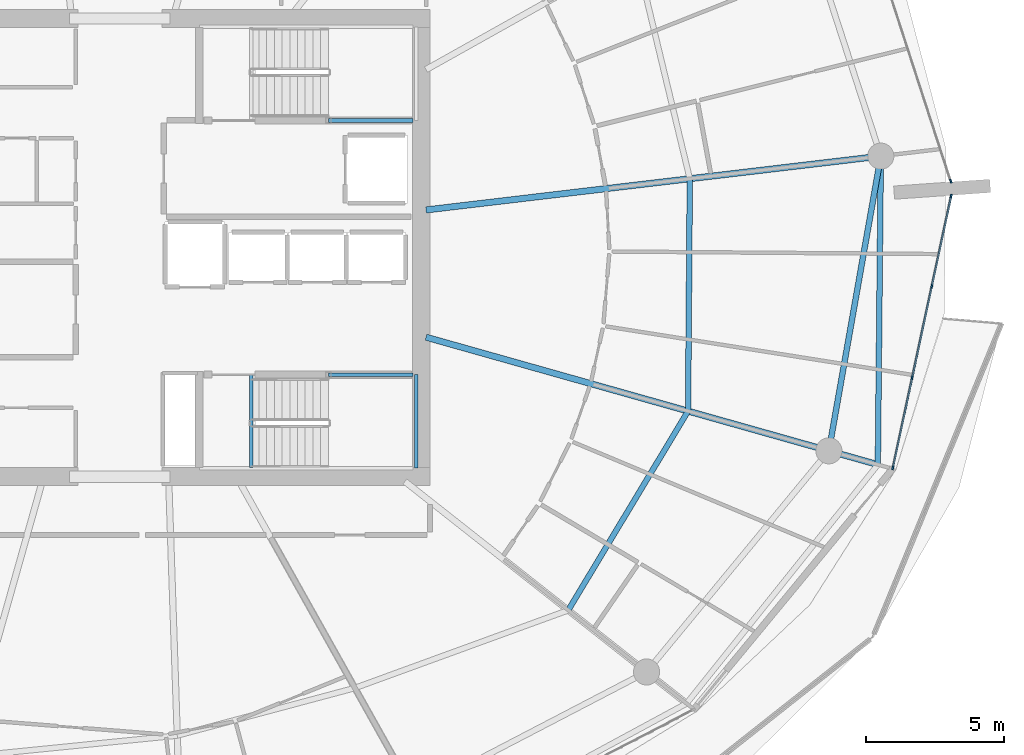
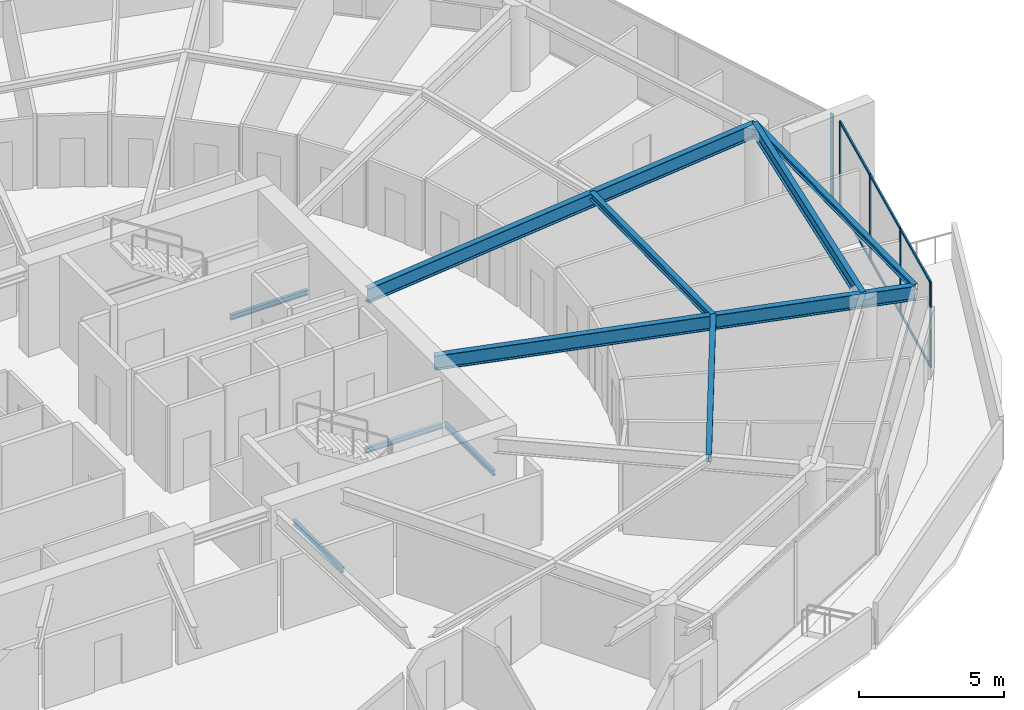
# One storey, part 10 of 29: 11 members, 10 beams, 2 elements without a shape of their own.
"""IFC4 building model written with IfcOpenShell, lengths in metres."""

import ifcopenshell
import ifcopenshell.guid

model = None  # the IFC model being written
_history = None  # IfcOwnerHistory: only IFC2X3 demands one
_inside = {}  # id of a spatial element -> (the spatial element, [elements in it])
_under = {}  # id of a project, library or spatial element -> (it, [spatial elements below it])
_declared = {}  # id of a project -> (the project, [libraries it declares])
_typed = {}  # id of a type object -> (the type object, [elements of that type])
_made_of = {}  # id of a material, layer set ... -> (it, [elements and type objects made of it])


def new_model(schema):
    """Start an empty IFC model of exactly this schema.

    Asked for "IFC4X3", IfcOpenShell would pick the latest addendum, in which some entities
    have other attributes; the version numbers below select the first issue.
    IFC2X3 requires an IfcOwnerHistory on every rooted entity: one is made here for all.
    """
    global model, _history
    if schema == "IFC4X3":
        model = ifcopenshell.file(schema_version=(4, 3, 0, 0))
    else:
        model = ifcopenshell.file(schema=schema)
    _inside.clear()
    _under.clear()
    _declared.clear()
    _typed.clear()
    _made_of.clear()
    _history = None
    if model.schema == "IFC2X3":
        org = make("IfcOrganization", Name="unknown")
        user = make(
            "IfcPersonAndOrganization",
            ThePerson=make("IfcPerson", FamilyName="unknown"),
            TheOrganization=org,
        )
        app = make(
            "IfcApplication",
            ApplicationDeveloper=org,
            Version="unknown",
            ApplicationFullName="unknown",
            ApplicationIdentifier="unknown",
        )
        _history = make(
            "IfcOwnerHistory",
            OwningUser=user,
            OwningApplication=app,
            ChangeAction="ADDED",
            CreationDate=0,
        )
    return model


def make(cls, **values):
    """One entity of the class cls with the attributes given. An attribute that is None is left unset."""
    return model.create_entity(
        cls, **{name: value for name, value in values.items() if value is not None}
    )


def rooted(cls, **values):
    """An entity with a GlobalId (a new one), such as an element, a storey or a relation."""
    return make(cls, GlobalId=ifcopenshell.guid.new(), OwnerHistory=_history, **values)


def si_unit(unit_type, name, prefix=None):
    """IfcSIUnit, for example si_unit("LENGTHUNIT", "METRE", prefix="MILLI")."""
    return make("IfcSIUnit", UnitType=unit_type, Prefix=prefix, Name=name)


def assignment(units):
    """IfcUnitAssignment: the units of a project."""
    return None if units is None else make("IfcUnitAssignment", Units=units)


def point(xyz):
    """IfcCartesianPoint."""
    return None if xyz is None else make("IfcCartesianPoint", Coordinates=xyz)


def direction(xyz):
    """IfcDirection."""
    return None if xyz is None else make("IfcDirection", DirectionRatios=xyz)


def frame(location, z_axis=None, x_axis=None):
    """IfcAxis2Placement3D, a coordinate frame: its origin and axes. An axis left out is left unset."""
    return make(
        "IfcAxis2Placement3D",
        Location=point(location),
        Axis=direction(z_axis),
        RefDirection=direction(x_axis),
    )


def frame_2d(location, x_axis=None):
    """IfcAxis2Placement2D, a coordinate frame in the plane: its origin and x axis."""
    return make(
        "IfcAxis2Placement2D", Location=point(location), RefDirection=direction(x_axis)
    )


def origin():
    """The frame at (0, 0, 0) with its axes left unset."""
    return frame((0.0, 0.0, 0.0))


def origin_2d():
    """The frame at (0, 0) in the plane with its x axis left unset."""
    return frame_2d((0.0, 0.0))


def place(relative_to, where):
    """IfcLocalPlacement: puts the frame where relative to a parent placement (None: the world)."""
    return make(
        "IfcLocalPlacement", PlacementRelTo=relative_to, RelativePlacement=where
    )


def context(
    kind, dimensions, precision=None, world=None, true_north=None, identifier=None
):
    """IfcGeometricRepresentationContext, for example the 3D "Model" context."""
    return make(
        "IfcGeometricRepresentationContext",
        ContextIdentifier=identifier,
        ContextType=kind,
        CoordinateSpaceDimension=dimensions,
        Precision=precision,
        WorldCoordinateSystem=world,
        TrueNorth=true_north,
    )


def subcontext(parent, identifier, kind, view, scale=None):
    """IfcGeometricRepresentationSubContext, for example "Body" below "Model"."""
    return make(
        "IfcGeometricRepresentationSubContext",
        ContextIdentifier=identifier,
        ContextType=kind,
        ParentContext=parent,
        TargetScale=scale,
        TargetView=view,
    )


def project(units=None, contexts=None):
    """IfcProject with its units and contexts."""
    return rooted(
        "IfcProject",
        Name="project",
        RepresentationContexts=contexts,
        UnitsInContext=assignment(units),
    )


def spatial(cls, under=None, at=None, **own):
    """A site, building, storey or space (cls), placed at a placement, below another one or the project."""
    s = rooted(cls, ObjectPlacement=at, **own)
    if under is not None:
        _under.setdefault(under.id(), (under, []))[1].append(s)
    return s


def profile(cls, at=None, kind="AREA", **sizes):
    """A parametric profile (cls). Its sizes go by their IFC names, for example OverallWidth=200.0."""
    return make(cls, ProfileType=kind, Position=at, **sizes)


def rectangle(**sizes):
    """IfcRectangleProfileDef."""
    return profile("IfcRectangleProfileDef", **sizes)


def i_section(**sizes):
    """IfcIShapeProfileDef."""
    return profile("IfcIShapeProfileDef", **sizes)


def extrude(swept, where, along, depth):
    """IfcExtrudedAreaSolid: the profile swept, set in the frame where, extruded along a direction by depth."""
    return make(
        "IfcExtrudedAreaSolid",
        SweptArea=swept,
        Position=where,
        ExtrudedDirection=direction(along),
        Depth=depth,
    )


def shape(context_of_items, identifier, shape_type, items):
    """IfcShapeRepresentation: the items that make up one representation, for example the "Body"."""
    return make(
        "IfcShapeRepresentation",
        ContextOfItems=context_of_items,
        RepresentationIdentifier=identifier,
        RepresentationType=shape_type,
        Items=items,
    )


def material(Name=None, Category=None):
    """IfcMaterial."""
    return make("IfcMaterial", Name=Name, Category=Category)


def layer(
    of_material, thickness, ventilated=None, Name=None, Category=None, Priority=None
):
    """IfcMaterialLayer: one layer of a wall or slab, of a material (None: an air gap)."""
    return make(
        "IfcMaterialLayer",
        Material=of_material,
        LayerThickness=thickness,
        IsVentilated=ventilated,
        Name=Name,
        Category=Category,
        Priority=Priority,
    )


def layer_set(layers, Name=None):
    """IfcMaterialLayerSet."""
    return make("IfcMaterialLayerSet", MaterialLayers=layers, LayerSetName=Name)


def material_profile(
    of_material, cross_section, Name=None, Category=None, Priority=None
):
    """IfcMaterialProfile: a cross section and its material."""
    return make(
        "IfcMaterialProfile",
        Name=Name,
        Material=of_material,
        Profile=cross_section,
        Priority=Priority,
        Category=Category,
    )


def profile_set(profiles, Name=None, composite=None):
    """IfcMaterialProfileSet."""
    return make(
        "IfcMaterialProfileSet",
        Name=Name,
        MaterialProfiles=profiles,
        CompositeProfile=composite,
    )


def made_of(thing, what):
    """Note that an element or type object is made of a material, layer set ...; save() writes the relation."""
    if what is not None:
        _made_of.setdefault(what.id(), (what, []))[1].append(thing)
    return thing


def type_object(cls, material=None, **own):
    """A type object (cls), such as IfcWallType, which elements share."""
    return made_of(rooted(cls, **own), material)


def element(
    cls,
    number,
    at=None,
    inside=None,
    cuts=None,
    type_object=None,
    material=None,
    context=None,
    identifier="Body",
    shape_type=None,
    held_by="IfcProductDefinitionShape",
    body=None,
    shapes=None,
    **own,
):
    """One element of the class cls, such as IfcWall. Its Tag is "e" and its number.

    at: its placement. inside: the storey or other place that contains it. cuts: it is an
    opening in that element (IfcRelVoidsElement). A single representation is given by context,
    identifier, shape_type and body (its items); several are given by shapes. held_by: the class
    of the entity that holds the representations. save() writes the other relations.
    """
    e = rooted(cls, Tag="e%d" % number, ObjectPlacement=at, **own)
    if body is not None:
        shapes = [shape(context, identifier, shape_type, body)]
    if shapes is not None:
        e.Representation = make(held_by, Representations=shapes)
    if inside is not None:
        _inside.setdefault(inside.id(), (inside, []))[1].append(e)
    if cuts is not None:
        rooted(
            "IfcRelVoidsElement", RelatingBuildingElement=cuts, RelatedOpeningElement=e
        )
    if type_object is not None:
        _typed.setdefault(type_object.id(), (type_object, []))[1].append(e)
    return made_of(e, material)


def aggregate(whole, parts):
    """IfcRelAggregates: a whole, such as a stair, and the parts it consists of."""
    return rooted("IfcRelAggregates", RelatingObject=whole, RelatedObjects=parts)


def save(model, path):
    """Write the relations noted so far, then the file.

    IfcRelAggregates (storeys below a building ...), IfcRelContainedInSpatialStructure (elements
    in a storey), IfcRelDefinesByType, IfcRelAssociatesMaterial and IfcRelDeclares: one each for
    every whole, place, type object, material and project.
    """
    for whole, parts in _under.values():
        aggregate(whole, parts)
    for where, things in _inside.values():
        rooted(
            "IfcRelContainedInSpatialStructure",
            RelatedElements=things,
            RelatingStructure=where,
        )
    for kind, things in _typed.values():
        rooted("IfcRelDefinesByType", RelatedObjects=things, RelatingType=kind)
    for what, things in _made_of.values():
        rooted("IfcRelAssociatesMaterial", RelatedObjects=things, RelatingMaterial=what)
    for by, libraries in _declared.values():
        rooted("IfcRelDeclares", RelatingContext=by, RelatedDefinitions=libraries)
    model.write(path)


model = new_model("IFC4")

# Units and contexts
model_context = context("Model", 3, precision=1e-05, world=origin(), true_north=direction((0.0, 1.0)))
body_context = subcontext(model_context, "Body", "Model", "MODEL_VIEW")
ifc_project = project(units=[si_unit("LENGTHUNIT", "METRE"), si_unit("AREAUNIT", "SQUARE_METRE"), si_unit("VOLUMEUNIT", "CUBIC_METRE"), si_unit("PLANEANGLEUNIT", "RADIAN"), si_unit("MASSUNIT", "GRAM", prefix="KILO")], contexts=[model_context])

# Site, building, storey
site_placement = place(None, origin())
site = spatial("IfcSite", under=ifc_project, at=site_placement, CompositionType="ELEMENT")
building_placement = place(site_placement, origin())
building = spatial("IfcBuilding", under=site, at=building_placement, Name="Kazma Halo Residences", CompositionType="ELEMENT")
storey_placement = place(building_placement, frame((0.0, 0.0, 252.10009765625)))
storey = spatial("IfcBuildingStorey", under=building, at=storey_placement, Name="L63", CompositionType="ELEMENT", Elevation=252.10009765625)

# Beams
ifc_material_1 = material(Name="Steel S355", Category="steel")
ifc_material_profile_1 = material_profile(ifc_material_1, i_section(OverallWidth=0.201904296875, OverallDepth=0.2470703125, WebThickness=0.00732421875, FlangeThickness=0.010986328125, FilletRadius=0.011962890625, at=origin_2d()), Name="W250x49.1")
ifc_profile_set_1 = profile_set([ifc_material_profile_1], Name="Steel S355")
beam_type_1 = type_object("IfcBeamType", Name="BM-BAL-CANT", PredefinedType="BEAM", material=ifc_profile_set_1)
beam_1_placement = place(storey_placement, frame((75.971435546875, 34.111083984375, 3.46630859375), z_axis=(0.009645503464, 0.999953481049, 0.0), x_axis=(-0.999953481049, 0.009645503464, 0.0)))
element("IfcBeam", 1, at=beam_1_placement, inside=storey, type_object=beam_type_1, Name="L63 wave-balcony tie beam 15", PredefinedType="BEAM", context=body_context, shape_type="SweptSolid", body=[
    extrude(i_section(OverallWidth=0.201904296875, OverallDepth=0.2470703125, WebThickness=0.00732421875, FlangeThickness=0.010986328125, FilletRadius=0.011962890625, at=origin_2d()), origin(), (0.0, 0.0, 1.0), 11.212890625),
])
ifc_material_profile_2 = material_profile(ifc_material_1, i_section(OverallWidth=0.22802734375, OverallDepth=0.60791015625, WebThickness=0.01123046875, FlangeThickness=0.017333984375, FilletRadius=0.01806640625, at=origin_2d()), Name="W610x113")
ifc_profile_set_2 = profile_set([ifc_material_profile_2], Name="Steel S355")
beam_type_2 = type_object("IfcBeamType", Name="BM-RAD-W610", PredefinedType="BEAM", material=ifc_profile_set_2)
beam_2_placement = place(storey_placement, frame((59.550048828125, 38.74267578125, 3.285888671875), z_axis=(0.96245092213, -0.271455746837, 0.0), x_axis=(0.271455746837, 0.96245092213, 0.0)))
element("IfcBeam", 2, at=beam_2_placement, inside=storey, type_object=beam_type_2, Name="L63 radial floor beam 15", PredefinedType="BEAM", context=body_context, shape_type="SweptSolid", body=[
    extrude(i_section(OverallWidth=0.22802734375, OverallDepth=0.60791015625, WebThickness=0.01123046875, FlangeThickness=0.017333984375, FilletRadius=0.01806640625, at=origin_2d()), origin(), (0.0, 0.0, 1.0), 17.06201171875),
])
beam_3_placement = place(storey_placement, frame((59.550048828125, 43.366943359375, 3.285888671875), z_axis=(0.993067455077, 0.117545861975, 0.0), x_axis=(-0.117545861975, 0.993067455077, 0.0)))
element("IfcBeam", 3, at=beam_3_placement, inside=storey, type_object=beam_type_2, Name="L63 radial floor beam 16", PredefinedType="BEAM", context=body_context, shape_type="SweptSolid", body=[
    extrude(i_section(OverallWidth=0.22802734375, OverallDepth=0.60791015625, WebThickness=0.01123046875, FlangeThickness=0.017333984375, FilletRadius=0.01806640625, at=origin_2d()), origin(), (0.0, 0.0, 1.0), 16.64501953125),
])
ifc_material_profile_3 = material_profile(ifc_material_1, i_section(OverallWidth=0.202880859375, OverallDepth=0.302978515625, WebThickness=0.007568359375, FlangeThickness=0.01318359375, FilletRadius=0.013916015625, at=origin_2d()), Name="W310x60")
ifc_profile_set_3 = profile_set([ifc_material_profile_3], Name="Steel S355")
beam_type_3 = type_object("IfcBeamType", Name="BM-SEC-W310A", PredefinedType="JOIST", material=ifc_profile_set_3)
beam_4_placement = place(storey_placement, frame((64.719482421875, 28.8193359375, 3.4384765625), z_axis=(0.515604761061, 0.856826546257, 0.0), x_axis=(-0.856826546257, 0.515604761061, 0.0)))
element("IfcBeam", 4, at=beam_4_placement, inside=storey, type_object=beam_type_3, Name="L63 circumferential floor joist 14", PredefinedType="JOIST", context=body_context, shape_type="SweptSolid", body=[
    extrude(i_section(OverallWidth=0.202880859375, OverallDepth=0.302978515625, WebThickness=0.007568359375, FlangeThickness=0.01318359375, FilletRadius=0.013916015625, at=origin_2d()), origin(), (0.0, 0.0, 1.0), 8.4462890625),
])
beam_5_placement = place(storey_placement, frame((69.074462890625, 36.056396484375, 3.4384765625), z_axis=(0.007429258426, 0.999972402679, 0.0), x_axis=(-0.999972402679, 0.007429258426, 0.0)))
element("IfcBeam", 5, at=beam_5_placement, inside=storey, type_object=beam_type_3, Name="L63 circumferential floor joist 15", PredefinedType="JOIST", context=body_context, shape_type="SweptSolid", body=[
    extrude(i_section(OverallWidth=0.202880859375, OverallDepth=0.302978515625, WebThickness=0.007568359375, FlangeThickness=0.01318359375, FilletRadius=0.013916015625, at=origin_2d()), origin(), (0.0, 0.0, 1.0), 8.445556640625),
])
ifc_material_profile_4 = material_profile(ifc_material_1, i_section(OverallWidth=0.208984375, OverallDepth=0.532958984375, WebThickness=0.01025390625, FlangeThickness=0.015625, FilletRadius=0.01611328125, at=origin_2d()), Name="W530x92")
ifc_profile_set_4 = profile_set([ifc_material_profile_4], Name="Steel S355")
beam_type_4 = type_object("IfcBeamType", Name="BM-SPN-W530", PredefinedType="BEAM", material=ifc_profile_set_4)
beam_6_placement = place(storey_placement, frame((74.19091796875, 34.61328125, 3.323486328125), z_axis=(0.173663672311, 0.984805020763, 0.0), x_axis=(-0.984805020763, 0.173663672311, 0.0)))
element("IfcBeam", 6, at=beam_6_placement, inside=storey, type_object=beam_type_4, Name="L63 perimeter ring beam 15", PredefinedType="BEAM", context=body_context, shape_type="SweptSolid", body=[
    extrude(i_section(OverallWidth=0.208984375, OverallDepth=0.532958984375, WebThickness=0.01025390625, FlangeThickness=0.015625, FilletRadius=0.01611328125, at=origin_2d()), origin(), (0.0, 0.0, 1.0), 10.87548828125),
])
ifc_material_profile_5 = material_profile(ifc_material_1, i_section(OverallWidth=0.133056640625, OverallDepth=0.20703125, WebThickness=0.005859375, FlangeThickness=0.00830078125, FilletRadius=0.010009765625, at=origin_2d()), Name="W200x26.6")
ifc_profile_set_5 = profile_set([ifc_material_profile_5], Name="Steel S355")
beam_type_5 = type_object("IfcBeamType", Name="BM-TRIM-W200", PredefinedType="BEAM", material=ifc_profile_set_5)
beam_7_placement = place(storey_placement, frame((53.199951171875, 34.0, -0.3701171875), z_axis=(0.0, 1.0, 0.0), x_axis=(-1.0, 0.0, 0.0)))
element("IfcBeam", 7, at=beam_7_placement, inside=storey, type_object=beam_type_5, Name="L63 ST-03 floor landing support beam", PredefinedType="BEAM", context=body_context, shape_type="SweptSolid", body=[
    extrude(i_section(OverallWidth=0.133056640625, OverallDepth=0.20703125, WebThickness=0.005859375, FlangeThickness=0.00830078125, FilletRadius=0.010009765625, at=origin_2d()), origin(), (0.0, 0.0, 1.0), 3.3798828125),
])
for number, where, z_axis, x_axis, name in (
    (8, (56.0, 46.6201171875, 1.619873046875), (1.0, 0.0, 0.0), (0.0, 1.0, 0.0), "L63 ST-02 landing south wall ledger"),
    (9, (56.0, 37.3798828125, 1.619873046875), (1.0, 0.0, 0.0), (0.0, 1.0, 0.0), "L63 ST-03 landing north wall ledger"),
):
    element("IfcBeam", number, at=place(storey_placement, frame(where, z_axis=z_axis, x_axis=x_axis)), inside=storey, type_object=beam_type_5, Name=name, PredefinedType="BEAM", context=body_context, shape_type="SweptSolid", body=[
        extrude(i_section(OverallWidth=0.133056640625, OverallDepth=0.20703125, WebThickness=0.005859375, FlangeThickness=0.00830078125, FilletRadius=0.010009765625, at=origin_2d()), origin(), (0.0, 0.0, 1.0), 3.070068359375),
    ])
beam_8_placement = place(storey_placement, frame((59.18994140625, 33.97998046875, 1.619873046875), z_axis=(0.0, 1.0, 0.0), x_axis=(-1.0, 0.0, 0.0)))
element("IfcBeam", 10, at=beam_8_placement, inside=storey, type_object=beam_type_5, Name="L63 ST-03 landing end wall ledger", PredefinedType="BEAM", context=body_context, shape_type="SweptSolid", body=[
    extrude(i_section(OverallWidth=0.133056640625, OverallDepth=0.20703125, WebThickness=0.005859375, FlangeThickness=0.00830078125, FilletRadius=0.010009765625, at=origin_2d()), origin(), (0.0, 0.0, 1.0), 3.39990234375),
])

# Curtain wall, members
ifc_material_2 = material(Name="Aluminium AW-6063 T6 and Triple-Silver Low-E Glass", Category="aluminium")
ifc_layer = layer(ifc_material_2, 0.139892578125)
ifc_layer_set = layer_set([ifc_layer], Name="Aluminium AW-6063 T6 and Triple-Silver Low-E Glass")
curtain_wall_type = type_object("IfcCurtainWallType", Name="CW-SYS-5", PredefinedType="NOTDEFINED", material=ifc_layer_set)
curtain_wall_1_placement = place(storey_placement, origin())
curtain_wall_1 = element("IfcCurtainWall", 11, at=curtain_wall_1_placement, inside=storey, type_object=curtain_wall_type, Name="L63 unitised curtain wall B15", PredefinedType="NOTDEFINED")
ifc_material_3 = material(Name="Aluminium AW-6063 T6", Category="aluminium")
ifc_material_profile_6 = material_profile(ifc_material_3, rectangle(XDim=0.06005859375, YDim=0.139892578125, at=origin_2d()), Name="CWM-60x140")
ifc_profile_set_6 = profile_set([ifc_material_profile_6], Name="Aluminium AW-6063 T6")
member_type_1 = type_object("IfcMemberType", Name="CW-SYS-5-MUL", PredefinedType="MULLION", material=ifc_profile_set_6)
member_1_placement = place(storey_placement, frame((76.514892578125, 33.989013671875, 0.0), z_axis=(0.0, 0.0, 1.0), x_axis=(-0.97777491373, 0.209657382603, 0.0)))
member_1 = element("IfcMember", 12, at=member_1_placement, type_object=member_type_1, Name="CWS-5 mullion 1", PredefinedType="MULLION", context=body_context, shape_type="SweptSolid", body=[
    extrude(rectangle(XDim=0.06005859375, YDim=0.139892578125, at=origin_2d()), origin(), (0.0, 0.0, 1.0), 3.58984375),
])
member_2_placement = place(storey_placement, frame((77.218994140625, 37.2734375, 0.0), z_axis=(0.0, 0.0, 1.0), x_axis=(-0.97777491373, 0.209657382603, 0.0)))
member_2 = element("IfcMember", 13, at=member_2_placement, type_object=member_type_1, Name="CWS-5 mullion 2", PredefinedType="MULLION", context=body_context, shape_type="SweptSolid", body=[
    extrude(rectangle(XDim=0.06005859375, YDim=0.139892578125, at=origin_2d()), origin(), (0.0, 0.0, 1.0), 3.58984375),
])
member_3_placement = place(storey_placement, frame((77.9296875, 40.587158203125, 0.0), z_axis=(0.0, 0.0, 1.0), x_axis=(-0.97777491373, 0.209657382603, 0.0)))
member_3 = element("IfcMember", 14, at=member_3_placement, type_object=member_type_1, Name="CWS-5 mullion 3", PredefinedType="MULLION", context=body_context, shape_type="SweptSolid", body=[
    extrude(rectangle(XDim=0.06005859375, YDim=0.139892578125, at=origin_2d()), origin(), (0.0, 0.0, 1.0), 3.58984375),
])
member_4_placement = place(storey_placement, frame((78.6337890625, 43.87158203125, 0.0), z_axis=(0.0, 0.0, 1.0), x_axis=(-0.97777491373, 0.209657382603, 0.0)))
member_4 = element("IfcMember", 15, at=member_4_placement, type_object=member_type_1, Name="CWS-5 mullion 4", PredefinedType="MULLION", context=body_context, shape_type="SweptSolid", body=[
    extrude(rectangle(XDim=0.06005859375, YDim=0.139892578125, at=origin_2d()), origin(), (0.0, 0.0, 1.0), 3.58984375),
])

# Curtain wall, member
curtain_wall_2_placement = place(storey_placement, origin())
curtain_wall_2 = element("IfcCurtainWall", 16, at=curtain_wall_2_placement, inside=storey, type_object=curtain_wall_type, Name="L63 unitised curtain wall B16", PredefinedType="NOTDEFINED")
member_5_placement = place(storey_placement, frame((78.622802734375, 44.412353515625, 0.0), z_axis=(0.0, 0.0, 1.0), x_axis=(-0.951058464359, -0.309010998786, 0.0)))
member_5 = element("IfcMember", 17, at=member_5_placement, type_object=member_type_1, Name="CWS-5 mullion 1", PredefinedType="MULLION", context=body_context, shape_type="SweptSolid", body=[
    extrude(rectangle(XDim=0.06005859375, YDim=0.139892578125, at=origin_2d()), origin(), (0.0, 0.0, 1.0), 3.58984375),
])
aggregate(curtain_wall_2, [member_5])

# Member
ifc_material_profile_7 = material_profile(ifc_material_3, rectangle(XDim=0.06005859375, YDim=0.10498046875, at=origin_2d()), Name="CWT-60x105")
ifc_profile_set_7 = profile_set([ifc_material_profile_7], Name="Aluminium AW-6063 T6")
member_type_2 = type_object("IfcMemberType", Name="CW-SYS-5-TRN", PredefinedType="USERDEFINED", material=ifc_profile_set_7)
member_6_placement = place(storey_placement, frame((76.52099609375, 34.0185546875, 0.02978515625), z_axis=(0.209660493552, 0.977774246666, 0.0), x_axis=(-0.977774246666, 0.209660493552, 0.0)))
member_6 = element("IfcMember", 18, at=member_6_placement, type_object=member_type_2, Name="CWS-5 transom 1.1", ObjectType="TRANSOM", PredefinedType="USERDEFINED", context=body_context, shape_type="SweptSolid", body=[
    extrude(rectangle(XDim=0.06005859375, YDim=0.10498046875, at=origin_2d()), origin(), (0.0, 0.0, 1.0), 3.298828125),
])

member_7_placement = place(storey_placement, frame((76.52099609375, 34.0185546875, 3.559814453125), z_axis=(0.209660493552, 0.977774246666, 0.0), x_axis=(-0.977774246666, 0.209660493552, 0.0)))
member_7 = element("IfcMember", 19, at=member_7_placement, type_object=member_type_2, Name="CWS-5 transom 1.2", ObjectType="TRANSOM", PredefinedType="USERDEFINED", context=body_context, shape_type="SweptSolid", body=[
    extrude(rectangle(XDim=0.06005859375, YDim=0.10498046875, at=origin_2d()), origin(), (0.0, 0.0, 1.0), 3.298828125),
])

member_8_placement = place(storey_placement, frame((77.225341796875, 37.302734375, 0.02978515625), z_axis=(0.209664309019, 0.977773428522, 0.0), x_axis=(-0.977773428522, 0.209664309019, 0.0)))
member_8 = element("IfcMember", 20, at=member_8_placement, type_object=member_type_2, Name="CWS-5 transom 2.1", ObjectType="TRANSOM", PredefinedType="USERDEFINED", context=body_context, shape_type="SweptSolid", body=[
    extrude(rectangle(XDim=0.06005859375, YDim=0.10498046875, at=origin_2d()), origin(), (0.0, 0.0, 1.0), 3.3291015625),
])

member_9_placement = place(storey_placement, frame((77.225341796875, 37.302734375, 3.559814453125), z_axis=(0.209664309019, 0.977773428522, 0.0), x_axis=(-0.977773428522, 0.209664309019, 0.0)))
member_9 = element("IfcMember", 21, at=member_9_placement, type_object=member_type_2, Name="CWS-5 transom 2.2", ObjectType="TRANSOM", PredefinedType="USERDEFINED", context=body_context, shape_type="SweptSolid", body=[
    extrude(rectangle(XDim=0.06005859375, YDim=0.10498046875, at=origin_2d()), origin(), (0.0, 0.0, 1.0), 3.3291015625),
])

member_10_placement = place(storey_placement, frame((77.935791015625, 40.616455078125, 0.02978515625), z_axis=(0.209645323239, 0.977777499457, 0.0), x_axis=(-0.977777499457, 0.209645323239, 0.0)))
member_10 = element("IfcMember", 22, at=member_10_placement, type_object=member_type_2, Name="CWS-5 transom 3.1", ObjectType="TRANSOM", PredefinedType="USERDEFINED", context=body_context, shape_type="SweptSolid", body=[
    extrude(rectangle(XDim=0.06005859375, YDim=0.10498046875, at=origin_2d()), origin(), (0.0, 0.0, 1.0), 3.299072265625),
])

member_11_placement = place(storey_placement, frame((77.935791015625, 40.616455078125, 3.559814453125), z_axis=(0.209645323239, 0.977777499457, 0.0), x_axis=(-0.977777499457, 0.209645323239, 0.0)))
member_11 = element("IfcMember", 23, at=member_11_placement, type_object=member_type_2, Name="CWS-5 transom 3.2", ObjectType="TRANSOM", PredefinedType="USERDEFINED", context=body_context, shape_type="SweptSolid", body=[
    extrude(rectangle(XDim=0.06005859375, YDim=0.10498046875, at=origin_2d()), origin(), (0.0, 0.0, 1.0), 3.299072265625),
])

aggregate(curtain_wall_1, [member_1, member_2, member_3, member_4, member_6, member_7, member_8, member_9, member_10, member_11])

save(model, "model.ifc")
